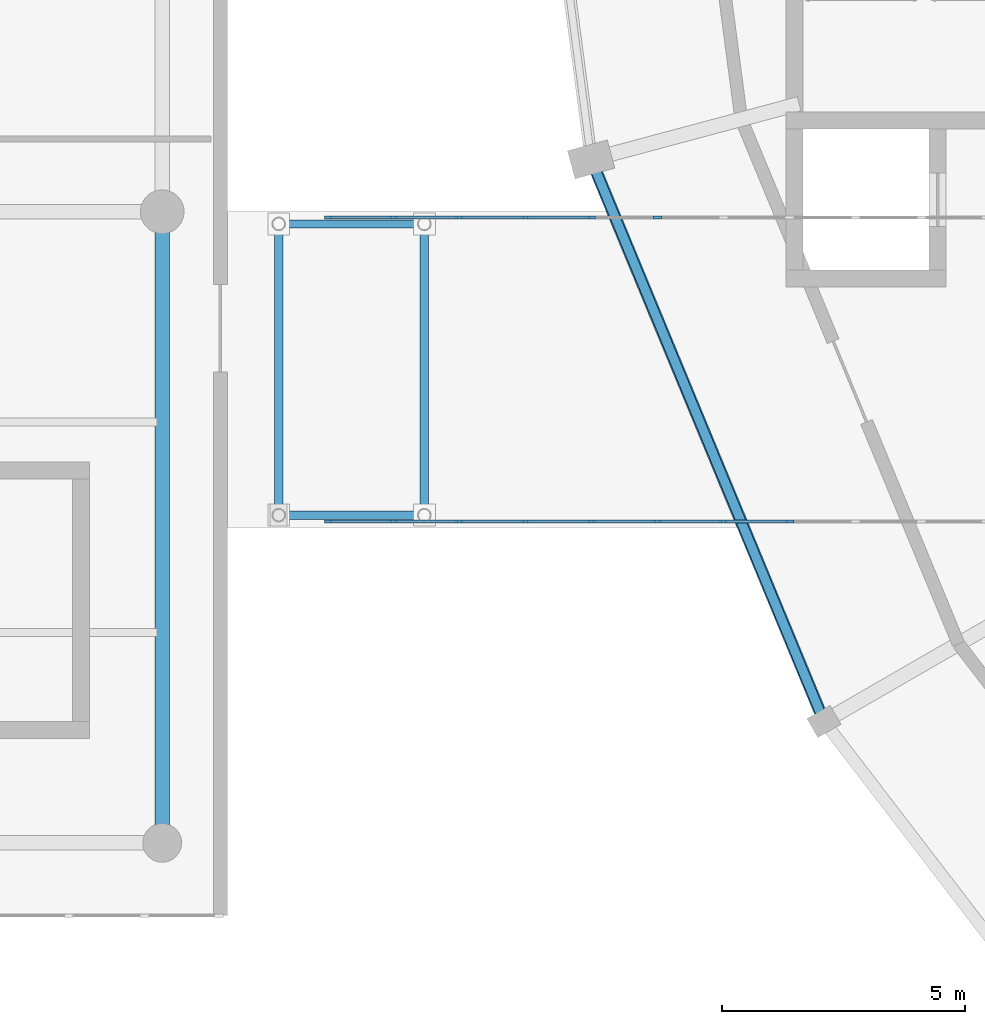
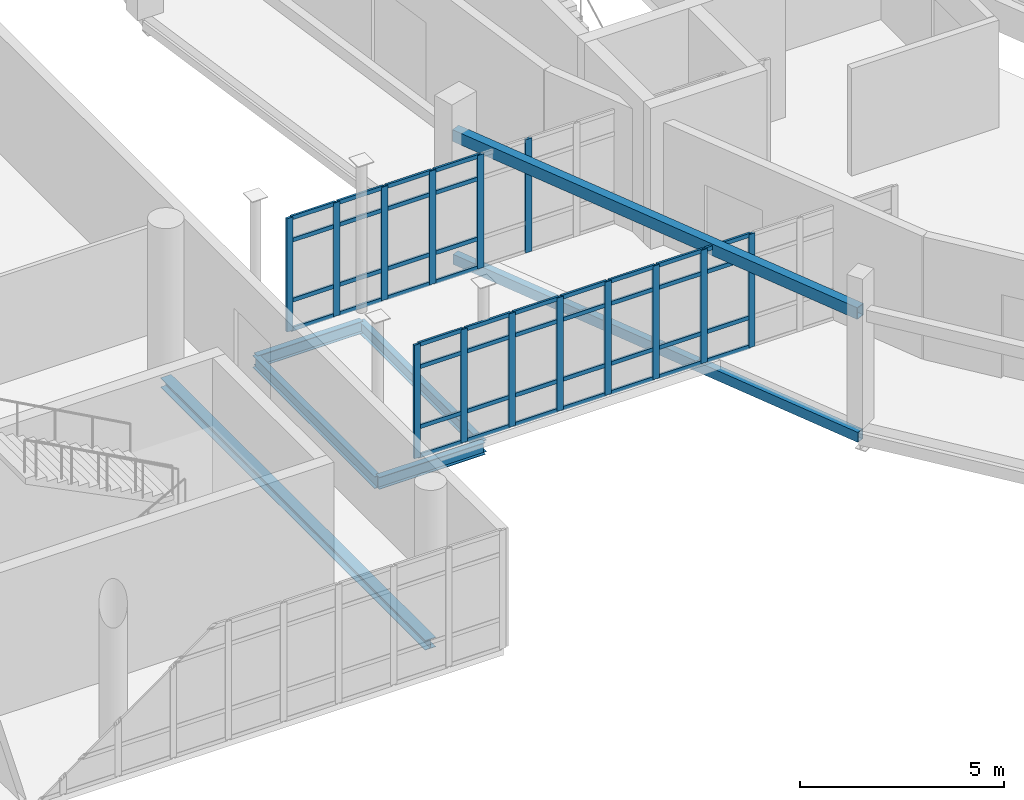
# One storey, part 32 of 122: 58 members, 7 beams, 2 elements without a shape of their own.
"""IFC4 building model written with IfcOpenShell, lengths in metres."""

from ifc_helpers import new_model, si_unit, direction, frame, origin, origin_2d, place, context, subcontext, project, spatial, rectangle, hollow_rectangle, i_section, extrude, material, layer, layer_set, material_profile, profile_set, type_object, element, aggregate, save


model = new_model("IFC4")

# Units and contexts
model_context = context("Model", 3, precision=1e-05, world=origin(), true_north=direction((0.0, 1.0)))
body_context = subcontext(model_context, "Body", "Model", "MODEL_VIEW")
ifc_project = project(units=[si_unit("LENGTHUNIT", "METRE"), si_unit("AREAUNIT", "SQUARE_METRE"), si_unit("VOLUMEUNIT", "CUBIC_METRE"), si_unit("PLANEANGLEUNIT", "RADIAN"), si_unit("MASSUNIT", "GRAM", prefix="KILO")], contexts=[model_context])

# Site, building, storey
site_placement = place(None, origin())
site = spatial("IfcSite", under=ifc_project, at=site_placement, CompositionType="ELEMENT")
building_placement = place(site_placement, origin())
building = spatial("IfcBuilding", under=site, at=building_placement, Name="Sohan Crest Arena", CompositionType="ELEMENT")
storey_placement = place(building_placement, origin())
storey = spatial("IfcBuildingStorey", under=building, at=storey_placement, Name="L00", CompositionType="ELEMENT", Elevation=0.0)

# Curtain wall, members
ifc_material_1 = material(Name="Thermally broken anodised aluminium", Category="aluminium")
ifc_layer = layer(ifc_material_1, 0.18994140625, Name="Thermally broken anodised aluminium")
ifc_layer_set = layer_set([ifc_layer], Name="Thermally broken anodised aluminium")
curtain_wall_type = type_object("IfcCurtainWallType", Name="ARC-CW05", PredefinedType="NOTDEFINED", material=ifc_layer_set)
curtain_wall_1_placement = place(storey_placement, origin())
curtain_wall_1 = element("IfcCurtainWall", 1, at=curtain_wall_1_placement, inside=storey, type_object=curtain_wall_type, Name="Unitised curtain wall CW-223", PredefinedType="NOTDEFINED")
ifc_material_profile_1 = material_profile(ifc_material_1, rectangle(XDim=0.06494140625, YDim=0.179931640625, at=origin_2d()), Name="ALU-MULL 65x180")
ifc_profile_set_1 = profile_set([ifc_material_profile_1], Name="Thermally broken anodised aluminium")
member_type_1 = type_object("IfcMemberType", Name="ARC-CW-ML02", PredefinedType="MULLION", material=ifc_profile_set_1)
member_1_placement = place(storey_placement, frame((46.232421875, 58.1201171875, 0.0), z_axis=(0.0, 0.0, 1.0), x_axis=(0.0, 1.0, 0.0)))
member_1 = element("IfcMember", 2, at=member_1_placement, type_object=member_type_1, Name="CW-223 mullion 1", PredefinedType="MULLION", context=body_context, shape_type="SweptSolid", body=[
    extrude(rectangle(XDim=0.06494140625, YDim=0.179931640625, at=origin_2d()), origin(), (0.0, 0.0, 1.0), 3.39990234375),
])
member_2_placement = place(storey_placement, frame((47.56005859375, 58.1201171875, 0.0), z_axis=(0.0, 0.0, 1.0), x_axis=(0.0, 1.0, 0.0)))
member_2 = element("IfcMember", 3, at=member_2_placement, type_object=member_type_1, Name="CW-223 mullion 2", PredefinedType="MULLION", context=body_context, shape_type="SweptSolid", body=[
    extrude(rectangle(XDim=0.06494140625, YDim=0.179931640625, at=origin_2d()), origin(), (0.0, 0.0, 1.0), 3.39990234375),
])
member_3_placement = place(storey_placement, frame((48.919921875, 58.1201171875, 0.0), z_axis=(0.0, 0.0, 1.0), x_axis=(0.0, 1.0, 0.0)))
member_3 = element("IfcMember", 4, at=member_3_placement, type_object=member_type_1, Name="CW-223 mullion 3", PredefinedType="MULLION", context=body_context, shape_type="SweptSolid", body=[
    extrude(rectangle(XDim=0.06494140625, YDim=0.179931640625, at=origin_2d()), origin(), (0.0, 0.0, 1.0), 3.39990234375),
])
member_4_placement = place(storey_placement, frame((50.280029296875, 58.1201171875, 0.0), z_axis=(0.0, 0.0, 1.0), x_axis=(0.0, 1.0, 0.0)))
member_4 = element("IfcMember", 5, at=member_4_placement, type_object=member_type_1, Name="CW-223 mullion 4", PredefinedType="MULLION", context=body_context, shape_type="SweptSolid", body=[
    extrude(rectangle(XDim=0.06494140625, YDim=0.179931640625, at=origin_2d()), origin(), (0.0, 0.0, 1.0), 3.39990234375),
])
member_5_placement = place(storey_placement, frame((51.639892578125, 58.1201171875, 0.0), z_axis=(0.0, 0.0, 1.0), x_axis=(0.0, 1.0, 0.0)))
member_5 = element("IfcMember", 6, at=member_5_placement, type_object=member_type_1, Name="CW-223 mullion 5", PredefinedType="MULLION", context=body_context, shape_type="SweptSolid", body=[
    extrude(rectangle(XDim=0.06494140625, YDim=0.179931640625, at=origin_2d()), origin(), (0.0, 0.0, 1.0), 3.39990234375),
])
member_6_placement = place(storey_placement, frame((53.0, 58.1201171875, 0.0), z_axis=(0.0, 0.0, 1.0), x_axis=(0.0, 1.0, 0.0)))
member_6 = element("IfcMember", 7, at=member_6_placement, type_object=member_type_1, Name="CW-223 mullion 6", PredefinedType="MULLION", context=body_context, shape_type="SweptSolid", body=[
    extrude(rectangle(XDim=0.06494140625, YDim=0.179931640625, at=origin_2d()), origin(), (0.0, 0.0, 1.0), 3.39990234375),
])
member_7_placement = place(storey_placement, frame((54.360107421875, 58.1201171875, 0.0), z_axis=(0.0, 0.0, 1.0), x_axis=(0.0, 1.0, 0.0)))
member_7 = element("IfcMember", 8, at=member_7_placement, type_object=member_type_1, Name="CW-223 mullion 7", PredefinedType="MULLION", context=body_context, shape_type="SweptSolid", body=[
    extrude(rectangle(XDim=0.06494140625, YDim=0.179931640625, at=origin_2d()), origin(), (0.0, 0.0, 1.0), 3.39990234375),
])
member_8_placement = place(storey_placement, frame((55.719970703125, 58.1201171875, 0.0), z_axis=(0.0, 0.0, 1.0), x_axis=(0.0, 1.0, 0.0)))
member_8 = element("IfcMember", 9, at=member_8_placement, type_object=member_type_1, Name="CW-223 mullion 8", PredefinedType="MULLION", context=body_context, shape_type="SweptSolid", body=[
    extrude(rectangle(XDim=0.06494140625, YDim=0.179931640625, at=origin_2d()), origin(), (0.0, 0.0, 1.0), 3.39990234375),
])

curtain_wall_2_placement = place(storey_placement, origin())
curtain_wall_2 = element("IfcCurtainWall", 10, at=curtain_wall_2_placement, inside=storey, type_object=curtain_wall_type, Name="Unitised curtain wall CW-224", PredefinedType="NOTDEFINED")
member_9_placement = place(storey_placement, frame((46.232421875, 64.3798828125, 0.0), z_axis=(0.0, 0.0, 1.0), x_axis=(0.0, 1.0, 0.0)))
member_9 = element("IfcMember", 11, at=member_9_placement, type_object=member_type_1, Name="CW-224 mullion 1", PredefinedType="MULLION", context=body_context, shape_type="SweptSolid", body=[
    extrude(rectangle(XDim=0.06494140625, YDim=0.179931640625, at=origin_2d()), origin(), (0.0, 0.0, 1.0), 3.39990234375),
])
member_10_placement = place(storey_placement, frame((47.56005859375, 64.3798828125, 0.0), z_axis=(0.0, 0.0, 1.0), x_axis=(0.0, 1.0, 0.0)))
member_10 = element("IfcMember", 12, at=member_10_placement, type_object=member_type_1, Name="CW-224 mullion 2", PredefinedType="MULLION", context=body_context, shape_type="SweptSolid", body=[
    extrude(rectangle(XDim=0.06494140625, YDim=0.179931640625, at=origin_2d()), origin(), (0.0, 0.0, 1.0), 3.39990234375),
])
member_11_placement = place(storey_placement, frame((48.919921875, 64.3798828125, 0.0), z_axis=(0.0, 0.0, 1.0), x_axis=(0.0, 1.0, 0.0)))
member_11 = element("IfcMember", 13, at=member_11_placement, type_object=member_type_1, Name="CW-224 mullion 3", PredefinedType="MULLION", context=body_context, shape_type="SweptSolid", body=[
    extrude(rectangle(XDim=0.06494140625, YDim=0.179931640625, at=origin_2d()), origin(), (0.0, 0.0, 1.0), 3.39990234375),
])
member_12_placement = place(storey_placement, frame((50.280029296875, 64.3798828125, 0.0), z_axis=(0.0, 0.0, 1.0), x_axis=(0.0, 1.0, 0.0)))
member_12 = element("IfcMember", 14, at=member_12_placement, type_object=member_type_1, Name="CW-224 mullion 4", PredefinedType="MULLION", context=body_context, shape_type="SweptSolid", body=[
    extrude(rectangle(XDim=0.06494140625, YDim=0.179931640625, at=origin_2d()), origin(), (0.0, 0.0, 1.0), 3.39990234375),
])
member_13_placement = place(storey_placement, frame((51.639892578125, 64.3798828125, 0.0), z_axis=(0.0, 0.0, 1.0), x_axis=(0.0, 1.0, 0.0)))
member_13 = element("IfcMember", 15, at=member_13_placement, type_object=member_type_1, Name="CW-224 mullion 5", PredefinedType="MULLION", context=body_context, shape_type="SweptSolid", body=[
    extrude(rectangle(XDim=0.06494140625, YDim=0.179931640625, at=origin_2d()), origin(), (0.0, 0.0, 1.0), 3.39990234375),
])
member_14_placement = place(storey_placement, frame((53.0, 64.3798828125, 0.0), z_axis=(0.0, 0.0, 1.0), x_axis=(0.0, 1.0, 0.0)))
member_14 = element("IfcMember", 16, at=member_14_placement, type_object=member_type_1, Name="CW-224 mullion 6", PredefinedType="MULLION", context=body_context, shape_type="SweptSolid", body=[
    extrude(rectangle(XDim=0.06494140625, YDim=0.179931640625, at=origin_2d()), origin(), (0.0, 0.0, 1.0), 3.39990234375),
])

# Member
ifc_material_profile_2 = material_profile(ifc_material_1, rectangle(XDim=0.06005859375, YDim=0.1201171875, at=origin_2d()), Name="ALU-TRAN 60x120")
ifc_profile_set_2 = profile_set([ifc_material_profile_2], Name="Thermally broken anodised aluminium")
member_type_2 = type_object("IfcMemberType", Name="ARC-CW-TR01", PredefinedType="USERDEFINED", material=ifc_profile_set_2)
member_15_placement = place(storey_placement, frame((46.264892578125, 58.1201171875, 0.030029296875), z_axis=(1.0, 0.0, 0.0), x_axis=(0.0, 1.0, 0.0)))
member_15 = element("IfcMember", 17, at=member_15_placement, type_object=member_type_2, Name="CW-223 transom 1.1", ObjectType="TRANSOM", PredefinedType="USERDEFINED", context=body_context, shape_type="SweptSolid", body=[
    extrude(rectangle(XDim=0.06005859375, YDim=0.1201171875, at=origin_2d()), origin(), (0.0, 0.0, 1.0), 1.2626953125),
])

member_16_placement = place(storey_placement, frame((46.264892578125, 58.1201171875, 0.89990234375), z_axis=(1.0, 0.0, 0.0), x_axis=(0.0, 1.0, 0.0)))
member_16 = element("IfcMember", 18, at=member_16_placement, type_object=member_type_2, Name="CW-223 transom 1.2", ObjectType="TRANSOM", PredefinedType="USERDEFINED", context=body_context, shape_type="SweptSolid", body=[
    extrude(rectangle(XDim=0.06005859375, YDim=0.1201171875, at=origin_2d()), origin(), (0.0, 0.0, 1.0), 1.2626953125),
])

member_17_placement = place(storey_placement, frame((46.264892578125, 58.1201171875, 2.699951171875), z_axis=(1.0, 0.0, 0.0), x_axis=(0.0, 1.0, 0.0)))
member_17 = element("IfcMember", 19, at=member_17_placement, type_object=member_type_2, Name="CW-223 transom 1.3", ObjectType="TRANSOM", PredefinedType="USERDEFINED", context=body_context, shape_type="SweptSolid", body=[
    extrude(rectangle(XDim=0.06005859375, YDim=0.1201171875, at=origin_2d()), origin(), (0.0, 0.0, 1.0), 1.2626953125),
])

member_18_placement = place(storey_placement, frame((46.264892578125, 58.1201171875, 3.3701171875), z_axis=(1.0, 0.0, 0.0), x_axis=(0.0, 1.0, 0.0)))
member_18 = element("IfcMember", 20, at=member_18_placement, type_object=member_type_2, Name="CW-223 transom 1.4", ObjectType="TRANSOM", PredefinedType="USERDEFINED", context=body_context, shape_type="SweptSolid", body=[
    extrude(rectangle(XDim=0.06005859375, YDim=0.1201171875, at=origin_2d()), origin(), (0.0, 0.0, 1.0), 1.2626953125),
])

member_19_placement = place(storey_placement, frame((47.592529296875, 58.1201171875, 0.030029296875), z_axis=(1.0, 0.0, 0.0), x_axis=(0.0, 1.0, 0.0)))
member_19 = element("IfcMember", 21, at=member_19_placement, type_object=member_type_2, Name="CW-223 transom 2.1", ObjectType="TRANSOM", PredefinedType="USERDEFINED", context=body_context, shape_type="SweptSolid", body=[
    extrude(rectangle(XDim=0.06005859375, YDim=0.1201171875, at=origin_2d()), origin(), (0.0, 0.0, 1.0), 1.294921875),
])

member_20_placement = place(storey_placement, frame((47.592529296875, 58.1201171875, 0.89990234375), z_axis=(1.0, 0.0, 0.0), x_axis=(0.0, 1.0, 0.0)))
member_20 = element("IfcMember", 22, at=member_20_placement, type_object=member_type_2, Name="CW-223 transom 2.2", ObjectType="TRANSOM", PredefinedType="USERDEFINED", context=body_context, shape_type="SweptSolid", body=[
    extrude(rectangle(XDim=0.06005859375, YDim=0.1201171875, at=origin_2d()), origin(), (0.0, 0.0, 1.0), 1.294921875),
])

member_21_placement = place(storey_placement, frame((47.592529296875, 58.1201171875, 2.699951171875), z_axis=(1.0, 0.0, 0.0), x_axis=(0.0, 1.0, 0.0)))
member_21 = element("IfcMember", 23, at=member_21_placement, type_object=member_type_2, Name="CW-223 transom 2.3", ObjectType="TRANSOM", PredefinedType="USERDEFINED", context=body_context, shape_type="SweptSolid", body=[
    extrude(rectangle(XDim=0.06005859375, YDim=0.1201171875, at=origin_2d()), origin(), (0.0, 0.0, 1.0), 1.294921875),
])

member_22_placement = place(storey_placement, frame((47.592529296875, 58.1201171875, 3.3701171875), z_axis=(1.0, 0.0, 0.0), x_axis=(0.0, 1.0, 0.0)))
member_22 = element("IfcMember", 24, at=member_22_placement, type_object=member_type_2, Name="CW-223 transom 2.4", ObjectType="TRANSOM", PredefinedType="USERDEFINED", context=body_context, shape_type="SweptSolid", body=[
    extrude(rectangle(XDim=0.06005859375, YDim=0.1201171875, at=origin_2d()), origin(), (0.0, 0.0, 1.0), 1.294921875),
])

member_23_placement = place(storey_placement, frame((48.952392578125, 58.1201171875, 0.030029296875), z_axis=(1.0, 0.0, 0.0), x_axis=(0.0, 1.0, 0.0)))
member_23 = element("IfcMember", 25, at=member_23_placement, type_object=member_type_2, Name="CW-223 transom 3.1", ObjectType="TRANSOM", PredefinedType="USERDEFINED", context=body_context, shape_type="SweptSolid", body=[
    extrude(rectangle(XDim=0.06005859375, YDim=0.1201171875, at=origin_2d()), origin(), (0.0, 0.0, 1.0), 1.295166015625),
])

member_24_placement = place(storey_placement, frame((48.952392578125, 58.1201171875, 0.89990234375), z_axis=(1.0, 0.0, 0.0), x_axis=(0.0, 1.0, 0.0)))
member_24 = element("IfcMember", 26, at=member_24_placement, type_object=member_type_2, Name="CW-223 transom 3.2", ObjectType="TRANSOM", PredefinedType="USERDEFINED", context=body_context, shape_type="SweptSolid", body=[
    extrude(rectangle(XDim=0.06005859375, YDim=0.1201171875, at=origin_2d()), origin(), (0.0, 0.0, 1.0), 1.295166015625),
])

member_25_placement = place(storey_placement, frame((48.952392578125, 58.1201171875, 2.699951171875), z_axis=(1.0, 0.0, 0.0), x_axis=(0.0, 1.0, 0.0)))
member_25 = element("IfcMember", 27, at=member_25_placement, type_object=member_type_2, Name="CW-223 transom 3.3", ObjectType="TRANSOM", PredefinedType="USERDEFINED", context=body_context, shape_type="SweptSolid", body=[
    extrude(rectangle(XDim=0.06005859375, YDim=0.1201171875, at=origin_2d()), origin(), (0.0, 0.0, 1.0), 1.295166015625),
])

member_26_placement = place(storey_placement, frame((48.952392578125, 58.1201171875, 3.3701171875), z_axis=(1.0, 0.0, 0.0), x_axis=(0.0, 1.0, 0.0)))
member_26 = element("IfcMember", 28, at=member_26_placement, type_object=member_type_2, Name="CW-223 transom 3.4", ObjectType="TRANSOM", PredefinedType="USERDEFINED", context=body_context, shape_type="SweptSolid", body=[
    extrude(rectangle(XDim=0.06005859375, YDim=0.1201171875, at=origin_2d()), origin(), (0.0, 0.0, 1.0), 1.295166015625),
])

member_27_placement = place(storey_placement, frame((50.3125, 58.1201171875, 0.030029296875), z_axis=(1.0, 0.0, 0.0), x_axis=(0.0, 1.0, 0.0)))
member_27 = element("IfcMember", 29, at=member_27_placement, type_object=member_type_2, Name="CW-223 transom 4.1", ObjectType="TRANSOM", PredefinedType="USERDEFINED", context=body_context, shape_type="SweptSolid", body=[
    extrude(rectangle(XDim=0.06005859375, YDim=0.1201171875, at=origin_2d()), origin(), (0.0, 0.0, 1.0), 1.294921875),
])

member_28_placement = place(storey_placement, frame((50.3125, 58.1201171875, 0.89990234375), z_axis=(1.0, 0.0, 0.0), x_axis=(0.0, 1.0, 0.0)))
member_28 = element("IfcMember", 30, at=member_28_placement, type_object=member_type_2, Name="CW-223 transom 4.2", ObjectType="TRANSOM", PredefinedType="USERDEFINED", context=body_context, shape_type="SweptSolid", body=[
    extrude(rectangle(XDim=0.06005859375, YDim=0.1201171875, at=origin_2d()), origin(), (0.0, 0.0, 1.0), 1.294921875),
])

member_29_placement = place(storey_placement, frame((50.3125, 58.1201171875, 2.699951171875), z_axis=(1.0, 0.0, 0.0), x_axis=(0.0, 1.0, 0.0)))
member_29 = element("IfcMember", 31, at=member_29_placement, type_object=member_type_2, Name="CW-223 transom 4.3", ObjectType="TRANSOM", PredefinedType="USERDEFINED", context=body_context, shape_type="SweptSolid", body=[
    extrude(rectangle(XDim=0.06005859375, YDim=0.1201171875, at=origin_2d()), origin(), (0.0, 0.0, 1.0), 1.294921875),
])

member_30_placement = place(storey_placement, frame((50.3125, 58.1201171875, 3.3701171875), z_axis=(1.0, 0.0, 0.0), x_axis=(0.0, 1.0, 0.0)))
member_30 = element("IfcMember", 32, at=member_30_placement, type_object=member_type_2, Name="CW-223 transom 4.4", ObjectType="TRANSOM", PredefinedType="USERDEFINED", context=body_context, shape_type="SweptSolid", body=[
    extrude(rectangle(XDim=0.06005859375, YDim=0.1201171875, at=origin_2d()), origin(), (0.0, 0.0, 1.0), 1.294921875),
])

member_31_placement = place(storey_placement, frame((51.672607421875, 58.1201171875, 0.030029296875), z_axis=(1.0, 0.0, 0.0), x_axis=(0.0, 1.0, 0.0)))
member_31 = element("IfcMember", 33, at=member_31_placement, type_object=member_type_2, Name="CW-223 transom 5.1", ObjectType="TRANSOM", PredefinedType="USERDEFINED", context=body_context, shape_type="SweptSolid", body=[
    extrude(rectangle(XDim=0.06005859375, YDim=0.1201171875, at=origin_2d()), origin(), (0.0, 0.0, 1.0), 1.294921875),
])

member_32_placement = place(storey_placement, frame((51.672607421875, 58.1201171875, 0.89990234375), z_axis=(1.0, 0.0, 0.0), x_axis=(0.0, 1.0, 0.0)))
member_32 = element("IfcMember", 34, at=member_32_placement, type_object=member_type_2, Name="CW-223 transom 5.2", ObjectType="TRANSOM", PredefinedType="USERDEFINED", context=body_context, shape_type="SweptSolid", body=[
    extrude(rectangle(XDim=0.06005859375, YDim=0.1201171875, at=origin_2d()), origin(), (0.0, 0.0, 1.0), 1.294921875),
])

member_33_placement = place(storey_placement, frame((51.672607421875, 58.1201171875, 2.699951171875), z_axis=(1.0, 0.0, 0.0), x_axis=(0.0, 1.0, 0.0)))
member_33 = element("IfcMember", 35, at=member_33_placement, type_object=member_type_2, Name="CW-223 transom 5.3", ObjectType="TRANSOM", PredefinedType="USERDEFINED", context=body_context, shape_type="SweptSolid", body=[
    extrude(rectangle(XDim=0.06005859375, YDim=0.1201171875, at=origin_2d()), origin(), (0.0, 0.0, 1.0), 1.294921875),
])

member_34_placement = place(storey_placement, frame((51.672607421875, 58.1201171875, 3.3701171875), z_axis=(1.0, 0.0, 0.0), x_axis=(0.0, 1.0, 0.0)))
member_34 = element("IfcMember", 36, at=member_34_placement, type_object=member_type_2, Name="CW-223 transom 5.4", ObjectType="TRANSOM", PredefinedType="USERDEFINED", context=body_context, shape_type="SweptSolid", body=[
    extrude(rectangle(XDim=0.06005859375, YDim=0.1201171875, at=origin_2d()), origin(), (0.0, 0.0, 1.0), 1.294921875),
])

member_35_placement = place(storey_placement, frame((53.032470703125, 58.1201171875, 0.030029296875), z_axis=(1.0, 0.0, 0.0), x_axis=(0.0, 1.0, 0.0)))
member_35 = element("IfcMember", 37, at=member_35_placement, type_object=member_type_2, Name="CW-223 transom 6.1", ObjectType="TRANSOM", PredefinedType="USERDEFINED", context=body_context, shape_type="SweptSolid", body=[
    extrude(rectangle(XDim=0.06005859375, YDim=0.1201171875, at=origin_2d()), origin(), (0.0, 0.0, 1.0), 1.294921875),
])

member_36_placement = place(storey_placement, frame((53.032470703125, 58.1201171875, 0.89990234375), z_axis=(1.0, 0.0, 0.0), x_axis=(0.0, 1.0, 0.0)))
member_36 = element("IfcMember", 38, at=member_36_placement, type_object=member_type_2, Name="CW-223 transom 6.2", ObjectType="TRANSOM", PredefinedType="USERDEFINED", context=body_context, shape_type="SweptSolid", body=[
    extrude(rectangle(XDim=0.06005859375, YDim=0.1201171875, at=origin_2d()), origin(), (0.0, 0.0, 1.0), 1.294921875),
])

member_37_placement = place(storey_placement, frame((53.032470703125, 58.1201171875, 2.699951171875), z_axis=(1.0, 0.0, 0.0), x_axis=(0.0, 1.0, 0.0)))
member_37 = element("IfcMember", 39, at=member_37_placement, type_object=member_type_2, Name="CW-223 transom 6.3", ObjectType="TRANSOM", PredefinedType="USERDEFINED", context=body_context, shape_type="SweptSolid", body=[
    extrude(rectangle(XDim=0.06005859375, YDim=0.1201171875, at=origin_2d()), origin(), (0.0, 0.0, 1.0), 1.294921875),
])

member_38_placement = place(storey_placement, frame((53.032470703125, 58.1201171875, 3.3701171875), z_axis=(1.0, 0.0, 0.0), x_axis=(0.0, 1.0, 0.0)))
member_38 = element("IfcMember", 40, at=member_38_placement, type_object=member_type_2, Name="CW-223 transom 6.4", ObjectType="TRANSOM", PredefinedType="USERDEFINED", context=body_context, shape_type="SweptSolid", body=[
    extrude(rectangle(XDim=0.06005859375, YDim=0.1201171875, at=origin_2d()), origin(), (0.0, 0.0, 1.0), 1.294921875),
])

member_39_placement = place(storey_placement, frame((54.392578125, 58.1201171875, 0.030029296875), z_axis=(1.0, 0.0, 0.0), x_axis=(0.0, 1.0, 0.0)))
member_39 = element("IfcMember", 41, at=member_39_placement, type_object=member_type_2, Name="CW-223 transom 7.1", ObjectType="TRANSOM", PredefinedType="USERDEFINED", context=body_context, shape_type="SweptSolid", body=[
    extrude(rectangle(XDim=0.06005859375, YDim=0.1201171875, at=origin_2d()), origin(), (0.0, 0.0, 1.0), 1.294921875),
])

member_40_placement = place(storey_placement, frame((54.392578125, 58.1201171875, 0.89990234375), z_axis=(1.0, 0.0, 0.0), x_axis=(0.0, 1.0, 0.0)))
member_40 = element("IfcMember", 42, at=member_40_placement, type_object=member_type_2, Name="CW-223 transom 7.2", ObjectType="TRANSOM", PredefinedType="USERDEFINED", context=body_context, shape_type="SweptSolid", body=[
    extrude(rectangle(XDim=0.06005859375, YDim=0.1201171875, at=origin_2d()), origin(), (0.0, 0.0, 1.0), 1.294921875),
])

member_41_placement = place(storey_placement, frame((54.392578125, 58.1201171875, 2.699951171875), z_axis=(1.0, 0.0, 0.0), x_axis=(0.0, 1.0, 0.0)))
member_41 = element("IfcMember", 43, at=member_41_placement, type_object=member_type_2, Name="CW-223 transom 7.3", ObjectType="TRANSOM", PredefinedType="USERDEFINED", context=body_context, shape_type="SweptSolid", body=[
    extrude(rectangle(XDim=0.06005859375, YDim=0.1201171875, at=origin_2d()), origin(), (0.0, 0.0, 1.0), 1.294921875),
])

member_42_placement = place(storey_placement, frame((54.392578125, 58.1201171875, 3.3701171875), z_axis=(1.0, 0.0, 0.0), x_axis=(0.0, 1.0, 0.0)))
member_42 = element("IfcMember", 44, at=member_42_placement, type_object=member_type_2, Name="CW-223 transom 7.4", ObjectType="TRANSOM", PredefinedType="USERDEFINED", context=body_context, shape_type="SweptSolid", body=[
    extrude(rectangle(XDim=0.06005859375, YDim=0.1201171875, at=origin_2d()), origin(), (0.0, 0.0, 1.0), 1.294921875),
])

aggregate(curtain_wall_1, [member_1, member_2, member_3, member_4, member_5, member_6, member_7, member_8, member_15, member_16, member_17, member_18, member_19, member_20, member_21, member_22, member_23, member_24, member_25, member_26, member_27, member_28, member_29, member_30, member_31, member_32, member_33, member_34, member_35, member_36, member_37, member_38, member_39, member_40, member_41, member_42])

member_43_placement = place(storey_placement, frame((46.264892578125, 64.3798828125, 0.030029296875), z_axis=(1.0, 0.0, 0.0), x_axis=(0.0, 1.0, 0.0)))
member_43 = element("IfcMember", 45, at=member_43_placement, type_object=member_type_2, Name="CW-224 transom 1.1", ObjectType="TRANSOM", PredefinedType="USERDEFINED", context=body_context, shape_type="SweptSolid", body=[
    extrude(rectangle(XDim=0.06005859375, YDim=0.1201171875, at=origin_2d()), origin(), (0.0, 0.0, 1.0), 1.2626953125),
])

member_44_placement = place(storey_placement, frame((46.264892578125, 64.3798828125, 0.89990234375), z_axis=(1.0, 0.0, 0.0), x_axis=(0.0, 1.0, 0.0)))
member_44 = element("IfcMember", 46, at=member_44_placement, type_object=member_type_2, Name="CW-224 transom 1.2", ObjectType="TRANSOM", PredefinedType="USERDEFINED", context=body_context, shape_type="SweptSolid", body=[
    extrude(rectangle(XDim=0.06005859375, YDim=0.1201171875, at=origin_2d()), origin(), (0.0, 0.0, 1.0), 1.2626953125),
])

member_45_placement = place(storey_placement, frame((46.264892578125, 64.3798828125, 2.699951171875), z_axis=(1.0, 0.0, 0.0), x_axis=(0.0, 1.0, 0.0)))
member_45 = element("IfcMember", 47, at=member_45_placement, type_object=member_type_2, Name="CW-224 transom 1.3", ObjectType="TRANSOM", PredefinedType="USERDEFINED", context=body_context, shape_type="SweptSolid", body=[
    extrude(rectangle(XDim=0.06005859375, YDim=0.1201171875, at=origin_2d()), origin(), (0.0, 0.0, 1.0), 1.2626953125),
])

member_46_placement = place(storey_placement, frame((46.264892578125, 64.3798828125, 3.3701171875), z_axis=(1.0, 0.0, 0.0), x_axis=(0.0, 1.0, 0.0)))
member_46 = element("IfcMember", 48, at=member_46_placement, type_object=member_type_2, Name="CW-224 transom 1.4", ObjectType="TRANSOM", PredefinedType="USERDEFINED", context=body_context, shape_type="SweptSolid", body=[
    extrude(rectangle(XDim=0.06005859375, YDim=0.1201171875, at=origin_2d()), origin(), (0.0, 0.0, 1.0), 1.2626953125),
])

member_47_placement = place(storey_placement, frame((47.592529296875, 64.3798828125, 0.030029296875), z_axis=(1.0, 0.0, 0.0), x_axis=(0.0, 1.0, 0.0)))
member_47 = element("IfcMember", 49, at=member_47_placement, type_object=member_type_2, Name="CW-224 transom 2.1", ObjectType="TRANSOM", PredefinedType="USERDEFINED", context=body_context, shape_type="SweptSolid", body=[
    extrude(rectangle(XDim=0.06005859375, YDim=0.1201171875, at=origin_2d()), origin(), (0.0, 0.0, 1.0), 1.294921875),
])

member_48_placement = place(storey_placement, frame((47.592529296875, 64.3798828125, 0.89990234375), z_axis=(1.0, 0.0, 0.0), x_axis=(0.0, 1.0, 0.0)))
member_48 = element("IfcMember", 50, at=member_48_placement, type_object=member_type_2, Name="CW-224 transom 2.2", ObjectType="TRANSOM", PredefinedType="USERDEFINED", context=body_context, shape_type="SweptSolid", body=[
    extrude(rectangle(XDim=0.06005859375, YDim=0.1201171875, at=origin_2d()), origin(), (0.0, 0.0, 1.0), 1.294921875),
])

member_49_placement = place(storey_placement, frame((47.592529296875, 64.3798828125, 2.699951171875), z_axis=(1.0, 0.0, 0.0), x_axis=(0.0, 1.0, 0.0)))
member_49 = element("IfcMember", 51, at=member_49_placement, type_object=member_type_2, Name="CW-224 transom 2.3", ObjectType="TRANSOM", PredefinedType="USERDEFINED", context=body_context, shape_type="SweptSolid", body=[
    extrude(rectangle(XDim=0.06005859375, YDim=0.1201171875, at=origin_2d()), origin(), (0.0, 0.0, 1.0), 1.294921875),
])

member_50_placement = place(storey_placement, frame((47.592529296875, 64.3798828125, 3.3701171875), z_axis=(1.0, 0.0, 0.0), x_axis=(0.0, 1.0, 0.0)))
member_50 = element("IfcMember", 52, at=member_50_placement, type_object=member_type_2, Name="CW-224 transom 2.4", ObjectType="TRANSOM", PredefinedType="USERDEFINED", context=body_context, shape_type="SweptSolid", body=[
    extrude(rectangle(XDim=0.06005859375, YDim=0.1201171875, at=origin_2d()), origin(), (0.0, 0.0, 1.0), 1.294921875),
])

member_51_placement = place(storey_placement, frame((48.952392578125, 64.3798828125, 0.030029296875), z_axis=(1.0, 0.0, 0.0), x_axis=(0.0, 1.0, 0.0)))
member_51 = element("IfcMember", 53, at=member_51_placement, type_object=member_type_2, Name="CW-224 transom 3.1", ObjectType="TRANSOM", PredefinedType="USERDEFINED", context=body_context, shape_type="SweptSolid", body=[
    extrude(rectangle(XDim=0.06005859375, YDim=0.1201171875, at=origin_2d()), origin(), (0.0, 0.0, 1.0), 1.295166015625),
])

member_52_placement = place(storey_placement, frame((48.952392578125, 64.3798828125, 0.89990234375), z_axis=(1.0, 0.0, 0.0), x_axis=(0.0, 1.0, 0.0)))
member_52 = element("IfcMember", 54, at=member_52_placement, type_object=member_type_2, Name="CW-224 transom 3.2", ObjectType="TRANSOM", PredefinedType="USERDEFINED", context=body_context, shape_type="SweptSolid", body=[
    extrude(rectangle(XDim=0.06005859375, YDim=0.1201171875, at=origin_2d()), origin(), (0.0, 0.0, 1.0), 1.295166015625),
])

member_53_placement = place(storey_placement, frame((48.952392578125, 64.3798828125, 2.699951171875), z_axis=(1.0, 0.0, 0.0), x_axis=(0.0, 1.0, 0.0)))
member_53 = element("IfcMember", 55, at=member_53_placement, type_object=member_type_2, Name="CW-224 transom 3.3", ObjectType="TRANSOM", PredefinedType="USERDEFINED", context=body_context, shape_type="SweptSolid", body=[
    extrude(rectangle(XDim=0.06005859375, YDim=0.1201171875, at=origin_2d()), origin(), (0.0, 0.0, 1.0), 1.295166015625),
])

member_54_placement = place(storey_placement, frame((48.952392578125, 64.3798828125, 3.3701171875), z_axis=(1.0, 0.0, 0.0), x_axis=(0.0, 1.0, 0.0)))
member_54 = element("IfcMember", 56, at=member_54_placement, type_object=member_type_2, Name="CW-224 transom 3.4", ObjectType="TRANSOM", PredefinedType="USERDEFINED", context=body_context, shape_type="SweptSolid", body=[
    extrude(rectangle(XDim=0.06005859375, YDim=0.1201171875, at=origin_2d()), origin(), (0.0, 0.0, 1.0), 1.295166015625),
])

member_55_placement = place(storey_placement, frame((50.3125, 64.3798828125, 0.030029296875), z_axis=(1.0, 0.0, 0.0), x_axis=(0.0, 1.0, 0.0)))
member_55 = element("IfcMember", 57, at=member_55_placement, type_object=member_type_2, Name="CW-224 transom 4.1", ObjectType="TRANSOM", PredefinedType="USERDEFINED", context=body_context, shape_type="SweptSolid", body=[
    extrude(rectangle(XDim=0.06005859375, YDim=0.1201171875, at=origin_2d()), origin(), (0.0, 0.0, 1.0), 1.294921875),
])

member_56_placement = place(storey_placement, frame((50.3125, 64.3798828125, 0.89990234375), z_axis=(1.0, 0.0, 0.0), x_axis=(0.0, 1.0, 0.0)))
member_56 = element("IfcMember", 58, at=member_56_placement, type_object=member_type_2, Name="CW-224 transom 4.2", ObjectType="TRANSOM", PredefinedType="USERDEFINED", context=body_context, shape_type="SweptSolid", body=[
    extrude(rectangle(XDim=0.06005859375, YDim=0.1201171875, at=origin_2d()), origin(), (0.0, 0.0, 1.0), 1.294921875),
])

member_57_placement = place(storey_placement, frame((50.3125, 64.3798828125, 2.699951171875), z_axis=(1.0, 0.0, 0.0), x_axis=(0.0, 1.0, 0.0)))
member_57 = element("IfcMember", 59, at=member_57_placement, type_object=member_type_2, Name="CW-224 transom 4.3", ObjectType="TRANSOM", PredefinedType="USERDEFINED", context=body_context, shape_type="SweptSolid", body=[
    extrude(rectangle(XDim=0.06005859375, YDim=0.1201171875, at=origin_2d()), origin(), (0.0, 0.0, 1.0), 1.294921875),
])

member_58_placement = place(storey_placement, frame((50.3125, 64.3798828125, 3.3701171875), z_axis=(1.0, 0.0, 0.0), x_axis=(0.0, 1.0, 0.0)))
member_58 = element("IfcMember", 60, at=member_58_placement, type_object=member_type_2, Name="CW-224 transom 4.4", ObjectType="TRANSOM", PredefinedType="USERDEFINED", context=body_context, shape_type="SweptSolid", body=[
    extrude(rectangle(XDim=0.06005859375, YDim=0.1201171875, at=origin_2d()), origin(), (0.0, 0.0, 1.0), 1.294921875),
])

aggregate(curtain_wall_2, [member_9, member_10, member_11, member_12, member_13, member_14, member_43, member_44, member_45, member_46, member_47, member_48, member_49, member_50, member_51, member_52, member_53, member_54, member_55, member_56, member_57, member_58])

# Beams
ifc_material_2 = material(Name="Steel S355", Category="steel")
ifc_material_profile_3 = material_profile(ifc_material_2, i_section(OverallWidth=0.169921875, OverallDepth=0.360107421875, WebThickness=0.008056640625, FlangeThickness=0.0126953125, at=origin_2d()), Name="IPE 360")
ifc_profile_set_3 = profile_set([ifc_material_profile_3], Name="Steel S355")
beam_type_1 = type_object("IfcBeamType", Name="STR-BM-B02", PredefinedType="JOIST", material=ifc_profile_set_3)
for number, where, z_axis, x_axis, name in (
    (61, (45.199951171875, 58.25, -0.455078125), (1.0, 0.0, 0.0), (0.0, 1.0, 0.0), "Structural beam BG-L00-2920"),
    (62, (45.199951171875, 64.25, -0.455078125), (1.0, 0.0, 0.0), (0.0, 1.0, 0.0), "Structural beam BG-L00-2921"),
):
    element("IfcBeam", number, at=place(storey_placement, frame(where, z_axis=z_axis, x_axis=x_axis)), inside=storey, type_object=beam_type_1, Name=name, PredefinedType="JOIST", context=body_context, shape_type="SweptSolid", body=[
        extrude(i_section(OverallWidth=0.169921875, OverallDepth=0.360107421875, WebThickness=0.008056640625, FlangeThickness=0.0126953125, at=origin_2d()), origin(), (0.0, 0.0, 1.0), 3.0),
    ])
for number, where, z_axis, x_axis, name in (
    (63, (45.199951171875, 58.25, -0.455078125), (0.0, 1.0, 0.0), (-1.0, 0.0, 0.0), "Structural beam BG-L00-2922"),
    (64, (48.199951171875, 58.25, -0.455078125), (0.0, 1.0, 0.0), (-1.0, 0.0, 0.0), "Structural beam BG-L00-2923"),
):
    element("IfcBeam", number, at=place(storey_placement, frame(where, z_axis=z_axis, x_axis=x_axis)), inside=storey, type_object=beam_type_1, Name=name, PredefinedType="JOIST", context=body_context, shape_type="SweptSolid", body=[
        extrude(i_section(OverallWidth=0.169921875, OverallDepth=0.360107421875, WebThickness=0.008056640625, FlangeThickness=0.0126953125, at=origin_2d()), origin(), (0.0, 0.0, 1.0), 6.0),
    ])
ifc_material_profile_4 = material_profile(ifc_material_2, i_section(OverallWidth=0.300048828125, OverallDepth=0.2900390625, WebThickness=0.008544921875, FlangeThickness=0.013916015625, at=origin_2d()), Name="HEA 300")
ifc_profile_set_4 = profile_set([ifc_material_profile_4], Name="Steel S355")
beam_type_2 = type_object("IfcBeamType", Name="STR-BM-B08", PredefinedType="BEAM", material=ifc_profile_set_4)
beam_1_placement = place(storey_placement, frame((42.800048828125, 51.5, -0.375), z_axis=(0.0, 1.0, 0.0), x_axis=(-1.0, 0.0, 0.0)))
element("IfcBeam", 65, at=beam_1_placement, inside=storey, type_object=beam_type_2, Name="Structural beam G-L00-1932", PredefinedType="BEAM", context=body_context, shape_type="SweptSolid", body=[
    extrude(i_section(OverallWidth=0.300048828125, OverallDepth=0.2900390625, WebThickness=0.008544921875, FlangeThickness=0.013916015625, at=origin_2d()), origin(), (0.0, 0.0, 1.0), 13.0),
])
ifc_material_profile_5 = material_profile(ifc_material_2, hollow_rectangle(XDim=0.199951171875, YDim=0.300048828125, WallThickness=0.010009765625, at=origin_2d()), Name="RHS 300x200x10")
ifc_profile_set_5 = profile_set([ifc_material_profile_5], Name="Steel S355")
beam_type_3 = type_object("IfcBeamType", Name="STR-BM-SP03", PredefinedType="SPANDREL", material=ifc_profile_set_5)
beam_2_placement = place(storey_placement, frame((51.635986328125, 65.576904296875, -0.425048828125), z_axis=(0.382656941645, -0.923890504882, 0.0), x_axis=(0.923890504882, 0.382656941645, 0.0)))
element("IfcBeam", 66, at=beam_2_placement, inside=storey, type_object=beam_type_3, Name="Structural beam SP-L00-0938", PredefinedType="SPANDREL", context=body_context, shape_type="SweptSolid", body=[
    extrude(hollow_rectangle(XDim=0.199951171875, YDim=0.300048828125, WallThickness=0.010009765625, at=origin_2d()), origin(), (0.0, 0.0, 1.0), 12.530517578125),
])
ifc_material_profile_6 = material_profile(ifc_material_2, hollow_rectangle(XDim=0.25, YDim=0.35009765625, WallThickness=0.012451171875, at=origin_2d()), Name="RHS 350x250x12.5")
ifc_profile_set_6 = profile_set([ifc_material_profile_6], Name="Steel S355")
beam_type_4 = type_object("IfcBeamType", Name="STR-BM-SP04", PredefinedType="SPANDREL", material=ifc_profile_set_6)
beam_3_placement = place(storey_placement, frame((51.635986328125, 65.576904296875, 3.300048828125), z_axis=(0.382656941645, -0.923890504882, 0.0), x_axis=(0.923890504882, 0.382656941645, 0.0)))
element("IfcBeam", 67, at=beam_3_placement, inside=storey, type_object=beam_type_4, Name="Structural beam ARC-L00-0939", PredefinedType="SPANDREL", context=body_context, shape_type="SweptSolid", body=[
    extrude(hollow_rectangle(XDim=0.25, YDim=0.35009765625, WallThickness=0.012451171875, at=origin_2d()), origin(), (0.0, 0.0, 1.0), 12.530517578125),
])

save(model, "model.ifc")
